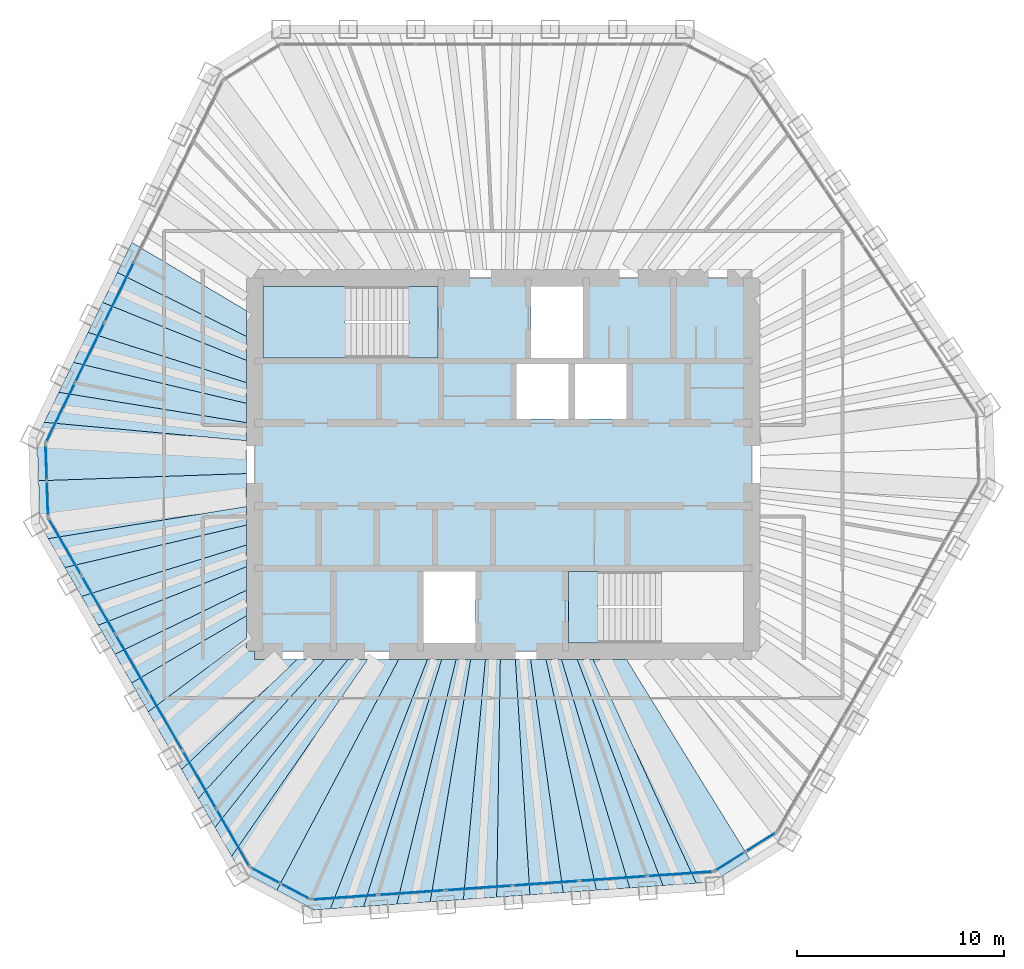
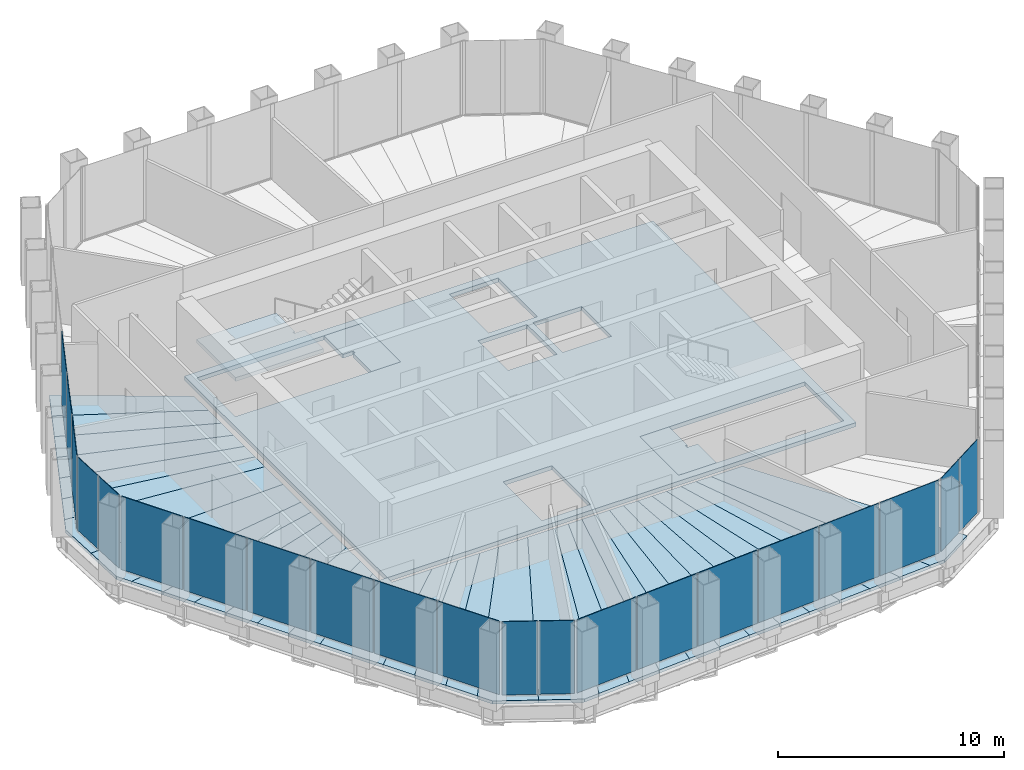
# One storey, part 9 of 14: 36 slabs, 21 plates, 8 elements without a shape of their own.
"""IFC4 building model written with IfcOpenShell, lengths in metres."""

import ifcopenshell
import ifcopenshell.guid

model = None  # the IFC model being written
_history = None  # IfcOwnerHistory: only IFC2X3 demands one
_inside = {}  # id of a spatial element -> (the spatial element, [elements in it])
_under = {}  # id of a project, library or spatial element -> (it, [spatial elements below it])
_declared = {}  # id of a project -> (the project, [libraries it declares])
_typed = {}  # id of a type object -> (the type object, [elements of that type])
_made_of = {}  # id of a material, layer set ... -> (it, [elements and type objects made of it])


def new_model(schema):
    """Start an empty IFC model of exactly this schema.

    Asked for "IFC4X3", IfcOpenShell would pick the latest addendum, in which some entities
    have other attributes; the version numbers below select the first issue.
    IFC2X3 requires an IfcOwnerHistory on every rooted entity: one is made here for all.
    """
    global model, _history
    if schema == "IFC4X3":
        model = ifcopenshell.file(schema_version=(4, 3, 0, 0))
    else:
        model = ifcopenshell.file(schema=schema)
    _inside.clear()
    _under.clear()
    _declared.clear()
    _typed.clear()
    _made_of.clear()
    _history = None
    if model.schema == "IFC2X3":
        org = make("IfcOrganization", Name="unknown")
        user = make(
            "IfcPersonAndOrganization",
            ThePerson=make("IfcPerson", FamilyName="unknown"),
            TheOrganization=org,
        )
        app = make(
            "IfcApplication",
            ApplicationDeveloper=org,
            Version="unknown",
            ApplicationFullName="unknown",
            ApplicationIdentifier="unknown",
        )
        _history = make(
            "IfcOwnerHistory",
            OwningUser=user,
            OwningApplication=app,
            ChangeAction="ADDED",
            CreationDate=0,
        )
    return model


def make(cls, **values):
    """One entity of the class cls with the attributes given. An attribute that is None is left unset."""
    return model.create_entity(
        cls, **{name: value for name, value in values.items() if value is not None}
    )


def rooted(cls, **values):
    """An entity with a GlobalId (a new one), such as an element, a storey or a relation."""
    return make(cls, GlobalId=ifcopenshell.guid.new(), OwnerHistory=_history, **values)


def si_unit(unit_type, name, prefix=None):
    """IfcSIUnit, for example si_unit("LENGTHUNIT", "METRE", prefix="MILLI")."""
    return make("IfcSIUnit", UnitType=unit_type, Prefix=prefix, Name=name)


def assignment(units):
    """IfcUnitAssignment: the units of a project."""
    return None if units is None else make("IfcUnitAssignment", Units=units)


def point(xyz):
    """IfcCartesianPoint."""
    return None if xyz is None else make("IfcCartesianPoint", Coordinates=xyz)


def direction(xyz):
    """IfcDirection."""
    return None if xyz is None else make("IfcDirection", DirectionRatios=xyz)


def frame(location, z_axis=None, x_axis=None):
    """IfcAxis2Placement3D, a coordinate frame: its origin and axes. An axis left out is left unset."""
    return make(
        "IfcAxis2Placement3D",
        Location=point(location),
        Axis=direction(z_axis),
        RefDirection=direction(x_axis),
    )


def frame_2d(location, x_axis=None):
    """IfcAxis2Placement2D, a coordinate frame in the plane: its origin and x axis."""
    return make(
        "IfcAxis2Placement2D", Location=point(location), RefDirection=direction(x_axis)
    )


def origin():
    """The frame at (0, 0, 0) with its axes left unset."""
    return frame((0.0, 0.0, 0.0))


def origin_2d():
    """The frame at (0, 0) in the plane with its x axis left unset."""
    return frame_2d((0.0, 0.0))


def place(relative_to, where):
    """IfcLocalPlacement: puts the frame where relative to a parent placement (None: the world)."""
    return make(
        "IfcLocalPlacement", PlacementRelTo=relative_to, RelativePlacement=where
    )


def context(
    kind, dimensions, precision=None, world=None, true_north=None, identifier=None
):
    """IfcGeometricRepresentationContext, for example the 3D "Model" context."""
    return make(
        "IfcGeometricRepresentationContext",
        ContextIdentifier=identifier,
        ContextType=kind,
        CoordinateSpaceDimension=dimensions,
        Precision=precision,
        WorldCoordinateSystem=world,
        TrueNorth=true_north,
    )


def subcontext(parent, identifier, kind, view, scale=None):
    """IfcGeometricRepresentationSubContext, for example "Body" below "Model"."""
    return make(
        "IfcGeometricRepresentationSubContext",
        ContextIdentifier=identifier,
        ContextType=kind,
        ParentContext=parent,
        TargetScale=scale,
        TargetView=view,
    )


def project(units=None, contexts=None):
    """IfcProject with its units and contexts."""
    return rooted(
        "IfcProject",
        Name="project",
        RepresentationContexts=contexts,
        UnitsInContext=assignment(units),
    )


def spatial(cls, under=None, at=None, **own):
    """A site, building, storey or space (cls), placed at a placement, below another one or the project."""
    s = rooted(cls, ObjectPlacement=at, **own)
    if under is not None:
        _under.setdefault(under.id(), (under, []))[1].append(s)
    return s


def polyline(points):
    """IfcPolyline through the points."""
    return make("IfcPolyline", Points=[point(p) for p in points])


def profile(cls, at=None, kind="AREA", **sizes):
    """A parametric profile (cls). Its sizes go by their IFC names, for example OverallWidth=200.0."""
    return make(cls, ProfileType=kind, Position=at, **sizes)


def rectangle(**sizes):
    """IfcRectangleProfileDef."""
    return profile("IfcRectangleProfileDef", **sizes)


def outline(outer, holes=None, kind="AREA"):
    """IfcArbitraryClosedProfileDef: a profile drawn as a closed curve; with holes, ...WithVoids."""
    if holes is None:
        return make("IfcArbitraryClosedProfileDef", ProfileType=kind, OuterCurve=outer)
    return make(
        "IfcArbitraryProfileDefWithVoids",
        ProfileType=kind,
        OuterCurve=outer,
        InnerCurves=holes,
    )


def extrude(swept, where, along, depth):
    """IfcExtrudedAreaSolid: the profile swept, set in the frame where, extruded along a direction by depth."""
    return make(
        "IfcExtrudedAreaSolid",
        SweptArea=swept,
        Position=where,
        ExtrudedDirection=direction(along),
        Depth=depth,
    )


def shape(context_of_items, identifier, shape_type, items):
    """IfcShapeRepresentation: the items that make up one representation, for example the "Body"."""
    return make(
        "IfcShapeRepresentation",
        ContextOfItems=context_of_items,
        RepresentationIdentifier=identifier,
        RepresentationType=shape_type,
        Items=items,
    )


def material(Name=None, Category=None):
    """IfcMaterial."""
    return make("IfcMaterial", Name=Name, Category=Category)


def layer(
    of_material, thickness, ventilated=None, Name=None, Category=None, Priority=None
):
    """IfcMaterialLayer: one layer of a wall or slab, of a material (None: an air gap)."""
    return make(
        "IfcMaterialLayer",
        Material=of_material,
        LayerThickness=thickness,
        IsVentilated=ventilated,
        Name=Name,
        Category=Category,
        Priority=Priority,
    )


def layer_set(layers, Name=None):
    """IfcMaterialLayerSet."""
    return make("IfcMaterialLayerSet", MaterialLayers=layers, LayerSetName=Name)


def made_of(thing, what):
    """Note that an element or type object is made of a material, layer set ...; save() writes the relation."""
    if what is not None:
        _made_of.setdefault(what.id(), (what, []))[1].append(thing)
    return thing


def type_object(cls, material=None, **own):
    """A type object (cls), such as IfcWallType, which elements share."""
    return made_of(rooted(cls, **own), material)


def element(
    cls,
    number,
    at=None,
    inside=None,
    cuts=None,
    type_object=None,
    material=None,
    context=None,
    identifier="Body",
    shape_type=None,
    held_by="IfcProductDefinitionShape",
    body=None,
    shapes=None,
    **own,
):
    """One element of the class cls, such as IfcWall. Its Tag is "e" and its number.

    at: its placement. inside: the storey or other place that contains it. cuts: it is an
    opening in that element (IfcRelVoidsElement). A single representation is given by context,
    identifier, shape_type and body (its items); several are given by shapes. held_by: the class
    of the entity that holds the representations. save() writes the other relations.
    """
    e = rooted(cls, Tag="e%d" % number, ObjectPlacement=at, **own)
    if body is not None:
        shapes = [shape(context, identifier, shape_type, body)]
    if shapes is not None:
        e.Representation = make(held_by, Representations=shapes)
    if inside is not None:
        _inside.setdefault(inside.id(), (inside, []))[1].append(e)
    if cuts is not None:
        rooted(
            "IfcRelVoidsElement", RelatingBuildingElement=cuts, RelatedOpeningElement=e
        )
    if type_object is not None:
        _typed.setdefault(type_object.id(), (type_object, []))[1].append(e)
    return made_of(e, material)


def aggregate(whole, parts):
    """IfcRelAggregates: a whole, such as a stair, and the parts it consists of."""
    return rooted("IfcRelAggregates", RelatingObject=whole, RelatedObjects=parts)


def save(model, path):
    """Write the relations noted so far, then the file.

    IfcRelAggregates (storeys below a building ...), IfcRelContainedInSpatialStructure (elements
    in a storey), IfcRelDefinesByType, IfcRelAssociatesMaterial and IfcRelDeclares: one each for
    every whole, place, type object, material and project.
    """
    for whole, parts in _under.values():
        aggregate(whole, parts)
    for where, things in _inside.values():
        rooted(
            "IfcRelContainedInSpatialStructure",
            RelatedElements=things,
            RelatingStructure=where,
        )
    for kind, things in _typed.values():
        rooted("IfcRelDefinesByType", RelatedObjects=things, RelatingType=kind)
    for what, things in _made_of.values():
        rooted("IfcRelAssociatesMaterial", RelatedObjects=things, RelatingMaterial=what)
    for by, libraries in _declared.values():
        rooted("IfcRelDeclares", RelatingContext=by, RelatedDefinitions=libraries)
    model.write(path)


model = new_model("IFC4")

# Units and contexts
model_context = context("Model", 3, precision=1e-05, world=origin(), true_north=direction((0.0, 1.0)))
body_context = subcontext(model_context, "Body", "Model", "MODEL_VIEW")
ifc_project = project(units=[si_unit("LENGTHUNIT", "METRE"), si_unit("AREAUNIT", "SQUARE_METRE"), si_unit("VOLUMEUNIT", "CUBIC_METRE"), si_unit("PLANEANGLEUNIT", "RADIAN"), si_unit("MASSUNIT", "GRAM", prefix="KILO")], contexts=[model_context])

# Site, building, storey
site_placement = place(None, origin())
site = spatial("IfcSite", under=ifc_project, at=site_placement, CompositionType="ELEMENT")
building_placement = place(site_placement, origin())
building = spatial("IfcBuilding", under=site, at=building_placement, Name="Qingtian Harvest Tower", CompositionType="ELEMENT")
storey_placement = place(building_placement, frame((0.0, 0.0, 304.0)))
storey = spatial("IfcBuildingStorey", under=building, at=storey_placement, Name="L67", CompositionType="ELEMENT", Elevation=304.0)

# Slabs
ifc_material_1 = material(Name="Concrete fc' 35 MPa", Category="concrete")
ifc_layer_1 = layer(ifc_material_1, 0.169921875)
ifc_layer_set_1 = layer_set([ifc_layer_1], Name="Composite floor slab FS17 170")
slab_type_1 = type_object("IfcSlabType", Name="Composite floor slab FS17 170", PredefinedType="FLOOR", material=ifc_layer_set_1)
slab_1_placement = place(storey_placement, frame((0.0, 0.0, -0.169921875)))
element("IfcSlab", 1, at=slab_1_placement, inside=storey, type_object=slab_type_1, Name="Floor slab L67 panel D01", PredefinedType="FLOOR", context=body_context, shape_type="SweptSolid", body=[
    extrude(outline(polyline([(-22.422607421875, -0.783203125), (-12.39990234375, -0.436767578125), (-12.39990234375, -2.028564453125), (-21.95751953125, -3.578369140625), (-22.348876953125, -2.90087890625), (-22.422607421875, -0.783203125)])), origin(), (0.0, 0.0, 1.0), 0.169921875),
])
slab_2_placement = place(storey_placement, frame((0.0, 0.0, -0.169921875)))
element("IfcSlab", 2, at=slab_2_placement, inside=storey, type_object=slab_type_1, Name="Floor slab L67 panel D02", PredefinedType="FLOOR", context=body_context, shape_type="SweptSolid", body=[
    extrude(outline(polyline([(-12.39990234375, -2.923095703125), (-21.153076171875, -4.9716796875), (-21.95751953125, -3.578369140625), (-12.39990234375, -2.028564453125), (-12.39990234375, -2.923095703125)])), origin(), (0.0, 0.0, 1.0), 0.169921875),
])
slab_3_placement = place(storey_placement, frame((0.0, 0.0, -0.169921875)))
element("IfcSlab", 3, at=slab_3_placement, inside=storey, type_object=slab_type_1, Name="Floor slab L67 panel D03", PredefinedType="FLOOR", context=body_context, shape_type="SweptSolid", body=[
    extrude(outline(polyline([(-12.39990234375, -3.888427734375), (-20.3486328125, -6.365234375), (-21.153076171875, -4.9716796875), (-12.39990234375, -2.923095703125), (-12.39990234375, -3.888427734375)])), origin(), (0.0, 0.0, 1.0), 0.169921875),
])
slab_4_placement = place(storey_placement, frame((0.0, 0.0, -0.169921875)))
element("IfcSlab", 4, at=slab_4_placement, inside=storey, type_object=slab_type_1, Name="Floor slab L67 panel D04", PredefinedType="FLOOR", context=body_context, shape_type="SweptSolid", body=[
    extrude(outline(polyline([(-12.39990234375, -4.93359375), (-19.544189453125, -7.758544921875), (-20.3486328125, -6.365234375), (-12.39990234375, -3.888427734375), (-12.39990234375, -4.93359375)])), origin(), (0.0, 0.0, 1.0), 0.169921875),
])
slab_5_placement = place(storey_placement, frame((0.0, 0.0, -0.169921875)))
element("IfcSlab", 5, at=slab_5_placement, inside=storey, type_object=slab_type_1, Name="Floor slab L67 panel D05", PredefinedType="FLOOR", context=body_context, shape_type="SweptSolid", body=[
    extrude(outline(polyline([(-12.39990234375, -6.068359375), (-18.73974609375, -9.15185546875), (-19.544189453125, -7.758544921875), (-12.39990234375, -4.93359375), (-12.39990234375, -6.068359375)])), origin(), (0.0, 0.0, 1.0), 0.169921875),
])
slab_6_placement = place(storey_placement, frame((0.0, 0.0, -0.169921875)))
element("IfcSlab", 6, at=slab_6_placement, inside=storey, type_object=slab_type_1, Name="Floor slab L67 panel D06", PredefinedType="FLOOR", context=body_context, shape_type="SweptSolid", body=[
    extrude(outline(polyline([(-12.39990234375, -7.304931640625), (-17.93505859375, -10.54541015625), (-18.73974609375, -9.15185546875), (-12.39990234375, -6.068359375), (-12.39990234375, -7.304931640625)])), origin(), (0.0, 0.0, 1.0), 0.169921875),
])
slab_7_placement = place(storey_placement, frame((0.0, 0.0, -0.169921875)))
element("IfcSlab", 7, at=slab_7_placement, inside=storey, type_object=slab_type_1, Name="Floor slab L67 panel D07", PredefinedType="FLOOR", context=body_context, shape_type="SweptSolid", body=[
    extrude(outline(polyline([(-12.39990234375, -8.400390625), (-17.134033203125, -11.932861328125), (-17.93505859375, -10.54541015625), (-12.39990234375, -7.304931640625), (-12.39990234375, -8.400390625)])), origin(), (0.0, 0.0, 1.0), 0.169921875),
])
slab_8_placement = place(storey_placement, frame((0.0, 0.0, -0.169921875)))
element("IfcSlab", 8, at=slab_8_placement, inside=storey, type_object=slab_type_1, Name="Floor slab L67 panel D09", PredefinedType="FLOOR", context=body_context, shape_type="SweptSolid", body=[
    extrude(outline(polyline([(-15.522216796875, -14.724609375), (-17.134033203125, -11.932861328125), (-12.39990234375, -8.400390625), (-12.39990234375, -9.0), (-12.0, -9.0), (-12.0, -9.39990234375), (-9.943115234375, -9.39990234375), (-15.522216796875, -14.724609375)])), origin(), (0.0, 0.0, 1.0), 0.169921875),
])
slab_9_placement = place(storey_placement, frame((0.0, 0.0, -0.169921875)))
element("IfcSlab", 9, at=slab_9_placement, inside=storey, type_object=slab_type_1, Name="Floor slab L67 panel D10", PredefinedType="FLOOR", context=body_context, shape_type="SweptSolid", body=[
    extrude(outline(polyline([(-8.609130859375, -9.39990234375), (-14.7177734375, -16.1181640625), (-15.522216796875, -14.724609375), (-9.943115234375, -9.39990234375), (-8.609130859375, -9.39990234375)])), origin(), (0.0, 0.0, 1.0), 0.169921875),
])
slab_10_placement = place(storey_placement, frame((0.0, 0.0, -0.169921875)))
element("IfcSlab", 10, at=slab_10_placement, inside=storey, type_object=slab_type_1, Name="Floor slab L67 panel D11", PredefinedType="FLOOR", context=body_context, shape_type="SweptSolid", body=[
    extrude(outline(polyline([(-7.488525390625, -9.39990234375), (-13.9130859375, -17.51171875), (-14.7177734375, -16.1181640625), (-8.609130859375, -9.39990234375), (-7.488525390625, -9.39990234375)])), origin(), (0.0, 0.0, 1.0), 0.169921875),
])
slab_11_placement = place(storey_placement, frame((0.0, 0.0, -0.169921875)))
element("IfcSlab", 11, at=slab_11_placement, inside=storey, type_object=slab_type_1, Name="Floor slab L67 panel D12", PredefinedType="FLOOR", context=body_context, shape_type="SweptSolid", body=[
    extrude(outline(polyline([(-6.533935546875, -9.39990234375), (-13.108642578125, -18.905029296875), (-13.9130859375, -17.51171875), (-7.488525390625, -9.39990234375), (-6.533935546875, -9.39990234375)])), origin(), (0.0, 0.0, 1.0), 0.169921875),
])
slab_12_placement = place(storey_placement, frame((0.0, 0.0, -0.169921875)))
element("IfcSlab", 12, at=slab_12_placement, inside=storey, type_object=slab_type_1, Name="Floor slab L67 panel D13", PredefinedType="FLOOR", context=body_context, shape_type="SweptSolid", body=[
    extrude(outline(polyline([(-6.533935546875, -9.39990234375), (-5.04638671875, -9.39990234375), (-10.921142578125, -20.537841796875), (-12.717529296875, -19.582763671875), (-13.108642578125, -18.905029296875), (-6.533935546875, -9.39990234375)])), origin(), (0.0, 0.0, 1.0), 0.169921875),
])
slab_13_placement = place(storey_placement, frame((0.0, 0.0, -0.169921875)))
element("IfcSlab", 13, at=slab_13_placement, inside=storey, type_object=slab_type_1, Name="Floor slab L67 panel D14", PredefinedType="FLOOR", context=body_context, shape_type="SweptSolid", body=[
    extrude(outline(polyline([(-5.04638671875, -9.39990234375), (-3.656982421875, -9.39990234375), (-8.343017578125, -21.439208984375), (-9.123291015625, -21.49365234375), (-10.921142578125, -20.537841796875), (-5.04638671875, -9.39990234375)])), origin(), (0.0, 0.0, 1.0), 0.169921875),
])
slab_14_placement = place(storey_placement, frame((0.0, 0.0, -0.169921875)))
element("IfcSlab", 14, at=slab_14_placement, inside=storey, type_object=slab_type_1, Name="Floor slab L67 panel D15", PredefinedType="FLOOR", context=body_context, shape_type="SweptSolid", body=[
    extrude(outline(polyline([(-2.968994140625, -9.39990234375), (-6.738037109375, -21.326904296875), (-8.343017578125, -21.439208984375), (-3.656982421875, -9.39990234375), (-2.968994140625, -9.39990234375)])), origin(), (0.0, 0.0, 1.0), 0.169921875),
])
slab_15_placement = place(storey_placement, frame((0.0, 0.0, -0.169921875)))
element("IfcSlab", 15, at=slab_15_placement, inside=storey, type_object=slab_type_1, Name="Floor slab L67 panel D16", PredefinedType="FLOOR", context=body_context, shape_type="SweptSolid", body=[
    extrude(outline(polyline([(-2.2734375, -9.39990234375), (-5.133056640625, -21.21484375), (-6.738037109375, -21.326904296875), (-2.968994140625, -9.39990234375), (-2.2734375, -9.39990234375)])), origin(), (0.0, 0.0, 1.0), 0.169921875),
])
slab_16_placement = place(storey_placement, frame((0.0, 0.0, -0.169921875)))
element("IfcSlab", 16, at=slab_16_placement, inside=storey, type_object=slab_type_1, Name="Floor slab L67 panel D17", PredefinedType="FLOOR", context=body_context, shape_type="SweptSolid", body=[
    extrude(outline(polyline([(-1.570556640625, -9.39990234375), (-3.528076171875, -21.1025390625), (-5.133056640625, -21.21484375), (-2.2734375, -9.39990234375), (-1.570556640625, -9.39990234375)])), origin(), (0.0, 0.0, 1.0), 0.169921875),
])
slab_17_placement = place(storey_placement, frame((0.0, 0.0, -0.169921875)))
element("IfcSlab", 17, at=slab_17_placement, inside=storey, type_object=slab_type_1, Name="Floor slab L67 panel D18", PredefinedType="FLOOR", context=body_context, shape_type="SweptSolid", body=[
    extrude(outline(polyline([(-0.860107421875, -9.39990234375), (-1.9228515625, -20.990234375), (-3.528076171875, -21.1025390625), (-1.570556640625, -9.39990234375), (-0.860107421875, -9.39990234375)])), origin(), (0.0, 0.0, 1.0), 0.169921875),
])
slab_18_placement = place(storey_placement, frame((0.0, 0.0, -0.169921875)))
element("IfcSlab", 18, at=slab_18_placement, inside=storey, type_object=slab_type_1, Name="Floor slab L67 panel D19", PredefinedType="FLOOR", context=body_context, shape_type="SweptSolid", body=[
    extrude(outline(polyline([(-0.14208984375, -9.39990234375), (-0.31787109375, -20.8779296875), (-1.9228515625, -20.990234375), (-0.860107421875, -9.39990234375), (-0.14208984375, -9.39990234375)])), origin(), (0.0, 0.0, 1.0), 0.169921875),
])
slab_19_placement = place(storey_placement, frame((0.0, 0.0, -0.169921875)))
element("IfcSlab", 19, at=slab_19_placement, inside=storey, type_object=slab_type_1, Name="Floor slab L67 panel D20", PredefinedType="FLOOR", context=body_context, shape_type="SweptSolid", body=[
    extrude(outline(polyline([(0.58349609375, -9.39990234375), (1.287109375, -20.765869140625), (-0.31787109375, -20.8779296875), (-0.14208984375, -9.39990234375), (0.58349609375, -9.39990234375)])), origin(), (0.0, 0.0, 1.0), 0.169921875),
])
slab_20_placement = place(storey_placement, frame((0.0, 0.0, -0.169921875)))
element("IfcSlab", 20, at=slab_20_placement, inside=storey, type_object=slab_type_1, Name="Floor slab L67 panel D21", PredefinedType="FLOOR", context=body_context, shape_type="SweptSolid", body=[
    extrude(outline(polyline([(1.3173828125, -9.39990234375), (2.89208984375, -20.653564453125), (1.287109375, -20.765869140625), (0.58349609375, -9.39990234375), (1.3173828125, -9.39990234375)])), origin(), (0.0, 0.0, 1.0), 0.169921875),
])
slab_21_placement = place(storey_placement, frame((0.0, 0.0, -0.169921875)))
element("IfcSlab", 21, at=slab_21_placement, inside=storey, type_object=slab_type_1, Name="Floor slab L67 panel D22", PredefinedType="FLOOR", context=body_context, shape_type="SweptSolid", body=[
    extrude(outline(polyline([(2.058837890625, -9.39990234375), (4.4970703125, -20.541259765625), (2.89208984375, -20.653564453125), (1.3173828125, -9.39990234375), (2.058837890625, -9.39990234375)])), origin(), (0.0, 0.0, 1.0), 0.169921875),
])
slab_22_placement = place(storey_placement, frame((0.0, 0.0, -0.169921875)))
element("IfcSlab", 22, at=slab_22_placement, inside=storey, type_object=slab_type_1, Name="Floor slab L67 panel D23", PredefinedType="FLOOR", context=body_context, shape_type="SweptSolid", body=[
    extrude(outline(polyline([(2.808837890625, -9.39990234375), (6.10205078125, -20.42919921875), (4.4970703125, -20.541259765625), (2.058837890625, -9.39990234375), (2.808837890625, -9.39990234375)])), origin(), (0.0, 0.0, 1.0), 0.169921875),
])
slab_23_placement = place(storey_placement, frame((0.0, 0.0, -0.169921875)))
element("IfcSlab", 23, at=slab_23_placement, inside=storey, type_object=slab_type_1, Name="Floor slab L67 panel D24", PredefinedType="FLOOR", context=body_context, shape_type="SweptSolid", body=[
    extrude(outline(polyline([(3.56689453125, -9.39990234375), (7.70703125, -20.31689453125), (6.10205078125, -20.42919921875), (2.808837890625, -9.39990234375), (3.56689453125, -9.39990234375)])), origin(), (0.0, 0.0, 1.0), 0.169921875),
])
slab_24_placement = place(storey_placement, frame((0.0, 0.0, -0.169921875)))
element("IfcSlab", 24, at=slab_24_placement, inside=storey, type_object=slab_type_1, Name="Floor slab L67 panel D25", PredefinedType="FLOOR", context=body_context, shape_type="SweptSolid", body=[
    extrude(outline(polyline([(4.33349609375, -9.39990234375), (9.312255859375, -20.20458984375), (7.70703125, -20.31689453125), (3.56689453125, -9.39990234375), (4.33349609375, -9.39990234375)])), origin(), (0.0, 0.0, 1.0), 0.169921875),
])
slab_25_placement = place(storey_placement, frame((0.0, 0.0, -0.169921875)))
element("IfcSlab", 25, at=slab_25_placement, inside=storey, type_object=slab_type_1, Name="Floor slab L67 panel D26", PredefinedType="FLOOR", context=body_context, shape_type="SweptSolid", body=[
    extrude(outline(polyline([(4.33349609375, -9.39990234375), (5.945556640625, -9.39990234375), (11.890380859375, -19.026611328125), (10.09228515625, -20.150146484375), (9.312255859375, -20.20458984375), (4.33349609375, -9.39990234375)])), origin(), (0.0, 0.0, 1.0), 0.169921875),
])
slab_26_placement = place(storey_placement, frame((0.0, 0.0, -0.169921875)))
element("IfcSlab", 26, at=slab_26_placement, inside=storey, type_object=slab_type_1, Name="Floor slab L67 panel D72", PredefinedType="FLOOR", context=body_context, shape_type="SweptSolid", body=[
    extrude(outline(polyline([(-12.39990234375, 6.18115234375), (-18.627197265625, 9.2685546875), (-17.921875, 10.714599609375), (-12.39990234375, 7.42578125), (-12.39990234375, 6.18115234375)])), origin(), (0.0, 0.0, 1.0), 0.169921875),
])
slab_27_placement = place(storey_placement, frame((0.0, 0.0, -0.169921875)))
element("IfcSlab", 27, at=slab_27_placement, inside=storey, type_object=slab_type_1, Name="Floor slab L67 panel D73", PredefinedType="FLOOR", context=body_context, shape_type="SweptSolid", body=[
    extrude(outline(polyline([(-12.39990234375, 5.02734375), (-19.33251953125, 7.822509765625), (-18.627197265625, 9.2685546875), (-12.39990234375, 6.18115234375), (-12.39990234375, 5.02734375)])), origin(), (0.0, 0.0, 1.0), 0.169921875),
])
slab_28_placement = place(storey_placement, frame((0.0, 0.0, -0.169921875)))
element("IfcSlab", 28, at=slab_28_placement, inside=storey, type_object=slab_type_1, Name="Floor slab L67 panel D74", PredefinedType="FLOOR", context=body_context, shape_type="SweptSolid", body=[
    extrude(outline(polyline([(-12.39990234375, 3.954833984375), (-20.037841796875, 6.376220703125), (-19.33251953125, 7.822509765625), (-12.39990234375, 5.02734375), (-12.39990234375, 3.954833984375)])), origin(), (0.0, 0.0, 1.0), 0.169921875),
])
slab_29_placement = place(storey_placement, frame((0.0, 0.0, -0.169921875)))
element("IfcSlab", 29, at=slab_29_placement, inside=storey, type_object=slab_type_1, Name="Floor slab L67 panel D75", PredefinedType="FLOOR", context=body_context, shape_type="SweptSolid", body=[
    extrude(outline(polyline([(-12.39990234375, 2.955322265625), (-20.7431640625, 4.93017578125), (-20.037841796875, 6.376220703125), (-12.39990234375, 3.954833984375), (-12.39990234375, 2.955322265625)])), origin(), (0.0, 0.0, 1.0), 0.169921875),
])
slab_30_placement = place(storey_placement, frame((0.0, 0.0, -0.169921875)))
element("IfcSlab", 30, at=slab_30_placement, inside=storey, type_object=slab_type_1, Name="Floor slab L67 panel D76", PredefinedType="FLOOR", context=body_context, shape_type="SweptSolid", body=[
    extrude(outline(polyline([(-12.39990234375, 2.021484375), (-21.448486328125, 3.484130859375), (-20.7431640625, 4.93017578125), (-12.39990234375, 2.955322265625), (-12.39990234375, 2.021484375)])), origin(), (0.0, 0.0, 1.0), 0.169921875),
])
slab_31_placement = place(storey_placement, frame((0.0, 0.0, -0.169921875)))
element("IfcSlab", 31, at=slab_31_placement, inside=storey, type_object=slab_type_1, Name="Floor slab L67 panel D77", PredefinedType="FLOOR", context=body_context, shape_type="SweptSolid", body=[
    extrude(outline(polyline([(-12.39990234375, 1.147216796875), (-22.15380859375, 2.037841796875), (-21.448486328125, 3.484130859375), (-12.39990234375, 2.021484375), (-12.39990234375, 1.147216796875)])), origin(), (0.0, 0.0, 1.0), 0.169921875),
])
slab_32_placement = place(storey_placement, frame((0.0, 0.0, -0.169921875)))
element("IfcSlab", 32, at=slab_32_placement, inside=storey, type_object=slab_type_1, Name="Floor slab L67 panel D78", PredefinedType="FLOOR", context=body_context, shape_type="SweptSolid", body=[
    extrude(outline(polyline([(-12.39990234375, 1.147216796875), (-12.39990234375, -0.436767578125), (-22.422607421875, -0.783203125), (-22.49658203125, 1.334716796875), (-22.15380859375, 2.037841796875), (-12.39990234375, 1.147216796875)])), origin(), (0.0, 0.0, 1.0), 0.169921875),
])
ifc_material_2 = material(Name="Concrete fc' 35 MPa", Category="concrete")
ifc_layer_2 = layer(ifc_material_2, 0.219970703125)
ifc_layer_set_2 = layer_set([ifc_layer_2], Name="Core floor slab CS22 220")
slab_type_2 = type_object("IfcSlabType", Name="Core floor slab CS22 220", PredefinedType="FLOOR", material=ifc_layer_set_2)
slab_33_placement = place(storey_placement, frame((0.0, 0.0, -0.219970703125)))
element("IfcSlab", 33, at=slab_33_placement, inside=storey, type_object=slab_type_2, Name="Core floor slab L67", PredefinedType="FLOOR", context=body_context, shape_type="SweptSolid", body=[
    extrude(outline(polyline([(-12.0, -9.0), (12.0, -9.0), (12.0, 9.0), (-12.0, 9.0), (-12.0, -9.0)]), holes=[polyline([(-11.60009765625, 5.14990234375), (-3.14990234375, 5.14990234375), (-3.14990234375, 8.60009765625), (-11.60009765625, 8.60009765625), (-11.60009765625, 5.14990234375)]), polyline([(3.14990234375, -8.60009765625), (11.60009765625, -8.60009765625), (11.60009765625, -5.14990234375), (3.14990234375, -5.14990234375), (3.14990234375, -8.60009765625)]), polyline([(1.35009765625, 5.14990234375), (3.85009765625, 5.14990234375), (3.85009765625, 8.60009765625), (1.35009765625, 8.60009765625), (1.35009765625, 5.14990234375)]), polyline([(-3.85009765625, -8.60009765625), (-1.35009765625, -8.60009765625), (-1.35009765625, -5.14990234375), (-3.85009765625, -5.14990234375), (-3.85009765625, -8.60009765625)]), polyline([(0.64990234375, 2.199951171875), (3.14990234375, 2.199951171875), (3.14990234375, 4.85009765625), (0.64990234375, 4.85009765625), (0.64990234375, 2.199951171875)]), polyline([(3.449951171875, 2.199951171875), (5.949951171875, 2.199951171875), (5.949951171875, 4.85009765625), (3.449951171875, 4.85009765625), (3.449951171875, 2.199951171875)])]), origin(), (0.0, 0.0, 1.0), 0.219970703125),
])

# Curtain wall, plates
ifc_material_3 = material(Name="Bronze-anodised aluminium curtain wall", Category="aluminium")
curtain_wall_type = type_object("IfcCurtainWallType", Name="Curtain wall CW5 upper office", PredefinedType="USERDEFINED", material=ifc_material_3)
curtain_wall_1_placement = place(storey_placement, origin())
curtain_wall_1 = element("IfcCurtainWall", 34, at=curtain_wall_1_placement, inside=storey, type_object=curtain_wall_type, Name="Curtain wall CW5 L67 SEC", ObjectType="RECESSED CURTAIN WALL", PredefinedType="USERDEFINED")
ifc_material_4 = material(Name="Bronze-tinted laminated insulating glass", Category="glass")
ifc_layer_3 = layer(ifc_material_4, 0.030029296875)
ifc_layer_set_3 = layer_set([ifc_layer_3], Name="Glazed panel CWP tinted IGU")
plate_type = type_object("IfcPlateType", Name="Glazed panel CWP tinted IGU", PredefinedType="CURTAIN_PANEL", material=ifc_layer_set_3)
plate_1_placement = place(storey_placement, frame((12.42431640625, -18.224609375, 0.06494140625), z_axis=(0.0, 0.0, 1.0), x_axis=(-0.848048096156, -0.529919264233, 0.0)))
plate_1 = element("IfcPlate", 35, at=plate_1_placement, type_object=plate_type, Name="CW5 panel 1.1", PredefinedType="CURTAIN_PANEL", context=body_context, shape_type="SweptSolid", body=[
    extrude(rectangle(XDim=1.69287109375, YDim=0.030029296875, at=origin_2d()), origin(), (0.0, 0.0, 1.0), 3.965087890625),
])
plate_2_placement = place(storey_placement, frame((10.93359375, -19.156005859375, 0.06494140625), z_axis=(0.0, 0.0, 1.0), x_axis=(-0.848048096156, -0.529919264233, 0.0)))
plate_2 = element("IfcPlate", 36, at=plate_2_placement, type_object=plate_type, Name="CW5 panel 2.1", PredefinedType="CURTAIN_PANEL", context=body_context, shape_type="SweptSolid", body=[
    extrude(rectangle(XDim=1.69287109375, YDim=0.030029296875, at=origin_2d()), origin(), (0.0, 0.0, 1.0), 3.965087890625),
])
aggregate(curtain_wall_1, [plate_1, plate_2])

curtain_wall_2_placement = place(storey_placement, origin())
curtain_wall_2 = element("IfcCurtainWall", 37, at=curtain_wall_2_placement, inside=storey, type_object=curtain_wall_type, Name="Curtain wall CW5 L67 S0-5", ObjectType="RECESSED CURTAIN WALL", PredefinedType="USERDEFINED")
plate_3_placement = place(storey_placement, frame((8.5244140625, -19.75341796875, 0.06494140625), z_axis=(0.0, 0.0, 1.0), x_axis=(-0.99756405026, -0.069756473744, 0.0)))
plate_3 = element("IfcPlate", 38, at=plate_3_placement, type_object=plate_type, Name="CW5 panel 1.1", PredefinedType="CURTAIN_PANEL", context=body_context, shape_type="SweptSolid", body=[
    extrude(rectangle(XDim=3.150634765625, YDim=0.030029296875, at=origin_2d()), origin(), (0.0, 0.0, 1.0), 3.965087890625),
])
plate_4_placement = place(storey_placement, frame((5.300537109375, -19.97900390625, 0.06494140625), z_axis=(0.0, 0.0, 1.0), x_axis=(-0.99756405026, -0.069756473744, 0.0)))
plate_4 = element("IfcPlate", 39, at=plate_4_placement, type_object=plate_type, Name="CW5 panel 2.1", PredefinedType="CURTAIN_PANEL", context=body_context, shape_type="SweptSolid", body=[
    extrude(rectangle(XDim=3.18310546875, YDim=0.030029296875, at=origin_2d()), origin(), (0.0, 0.0, 1.0), 3.965087890625),
])
plate_5_placement = place(storey_placement, frame((2.060302734375, -20.20556640625, 0.06494140625), z_axis=(0.0, 0.0, 1.0), x_axis=(-0.99756405026, -0.069756473744, 0.0)))
plate_5 = element("IfcPlate", 40, at=plate_5_placement, type_object=plate_type, Name="CW5 panel 3.1", PredefinedType="CURTAIN_PANEL", context=body_context, shape_type="SweptSolid", body=[
    extrude(rectangle(XDim=3.18310546875, YDim=0.030029296875, at=origin_2d()), origin(), (0.0, 0.0, 1.0), 3.965087890625),
])
plate_6_placement = place(storey_placement, frame((-1.1796875, -20.43212890625, 0.06494140625), z_axis=(0.0, 0.0, 1.0), x_axis=(-0.99756405026, -0.069756473744, 0.0)))
plate_6 = element("IfcPlate", 41, at=plate_6_placement, type_object=plate_type, Name="CW5 panel 4.1", PredefinedType="CURTAIN_PANEL", context=body_context, shape_type="SweptSolid", body=[
    extrude(rectangle(XDim=3.18310546875, YDim=0.030029296875, at=origin_2d()), origin(), (0.0, 0.0, 1.0), 3.965087890625),
])
plate_7_placement = place(storey_placement, frame((-4.419921875, -20.65869140625, 0.06494140625), z_axis=(0.0, 0.0, 1.0), x_axis=(-0.99756405026, -0.069756473744, 0.0)))
plate_7 = element("IfcPlate", 42, at=plate_7_placement, type_object=plate_type, Name="CW5 panel 5.1", PredefinedType="CURTAIN_PANEL", context=body_context, shape_type="SweptSolid", body=[
    extrude(rectangle(XDim=3.18310546875, YDim=0.030029296875, at=origin_2d()), origin(), (0.0, 0.0, 1.0), 3.965087890625),
])
plate_8_placement = place(storey_placement, frame((-7.643798828125, -20.884033203125, 0.06494140625), z_axis=(0.0, 0.0, 1.0), x_axis=(-0.99756405026, -0.069756473744, 0.0)))
plate_8 = element("IfcPlate", 43, at=plate_8_placement, type_object=plate_type, Name="CW5 panel 6.1", PredefinedType="CURTAIN_PANEL", context=body_context, shape_type="SweptSolid", body=[
    extrude(rectangle(XDim=3.150634765625, YDim=0.030029296875, at=origin_2d()), origin(), (0.0, 0.0, 1.0), 3.965087890625),
])
aggregate(curtain_wall_2, [plate_3, plate_4, plate_5, plate_6, plate_7, plate_8])

curtain_wall_3_placement = place(storey_placement, origin())
curtain_wall_3 = element("IfcCurtainWall", 44, at=curtain_wall_3_placement, inside=storey, type_object=curtain_wall_type, Name="Curtain wall CW5 L67 SC", ObjectType="RECESSED CURTAIN WALL", PredefinedType="USERDEFINED")
plate_9_placement = place(storey_placement, frame((-10.029296875, -20.60009765625, 0.06494140625), z_axis=(0.0, 0.0, 1.0), x_axis=(-0.882947592859, 0.469471562786, 0.0)))
plate_9 = element("IfcPlate", 45, at=plate_9_placement, type_object=plate_type, Name="CW5 panel 1.1", PredefinedType="CURTAIN_PANEL", context=body_context, shape_type="SweptSolid", body=[
    extrude(rectangle(XDim=1.56689453125, YDim=0.030029296875, at=origin_2d()), origin(), (0.0, 0.0, 1.0), 3.965087890625),
])
plate_10_placement = place(storey_placement, frame((-11.469970703125, -19.833984375, 0.06494140625), z_axis=(0.0, 0.0, 1.0), x_axis=(-0.882947592859, 0.469471562786, 0.0)))
plate_10 = element("IfcPlate", 46, at=plate_10_placement, type_object=plate_type, Name="CW5 panel 2.1", PredefinedType="CURTAIN_PANEL", context=body_context, shape_type="SweptSolid", body=[
    extrude(rectangle(XDim=1.56689453125, YDim=0.030029296875, at=origin_2d()), origin(), (0.0, 0.0, 1.0), 3.965087890625),
])
aggregate(curtain_wall_3, [plate_9, plate_10])

curtain_wall_4_placement = place(storey_placement, origin())
curtain_wall_4 = element("IfcCurtainWall", 47, at=curtain_wall_4_placement, inside=storey, type_object=curtain_wall_type, Name="Curtain wall CW5 L67 SW0-5", ObjectType="RECESSED CURTAIN WALL", PredefinedType="USERDEFINED")
plate_11_placement = place(storey_placement, frame((-13.039306640625, -18.01513671875, 0.06494140625), z_axis=(0.0, 0.0, 1.0), x_axis=(-0.5, 0.866025403784, 0.0)))
plate_11 = element("IfcPlate", 48, at=plate_11_placement, type_object=plate_type, Name="CW5 panel 1.1", PredefinedType="CURTAIN_PANEL", context=body_context, shape_type="SweptSolid", body=[
    extrude(rectangle(XDim=3.150634765625, YDim=0.030029296875, at=origin_2d()), origin(), (0.0, 0.0, 1.0), 3.965087890625),
])
plate_12_placement = place(storey_placement, frame((-14.6552734375, -15.216552734375, 0.06494140625), z_axis=(0.0, 0.0, 1.0), x_axis=(-0.5, 0.866025403784, 0.0)))
plate_12 = element("IfcPlate", 49, at=plate_12_placement, type_object=plate_type, Name="CW5 panel 2.1", PredefinedType="CURTAIN_PANEL", context=body_context, shape_type="SweptSolid", body=[
    extrude(rectangle(XDim=3.18310546875, YDim=0.030029296875, at=origin_2d()), origin(), (0.0, 0.0, 1.0), 3.965087890625),
])
plate_13_placement = place(storey_placement, frame((-16.279296875, -12.403564453125, 0.06494140625), z_axis=(0.0, 0.0, 1.0), x_axis=(-0.5, 0.866025403784, 0.0)))
plate_13 = element("IfcPlate", 50, at=plate_13_placement, type_object=plate_type, Name="CW5 panel 3.1", PredefinedType="CURTAIN_PANEL", context=body_context, shape_type="SweptSolid", body=[
    extrude(rectangle(XDim=3.18310546875, YDim=0.030029296875, at=origin_2d()), origin(), (0.0, 0.0, 1.0), 3.965087890625),
])
plate_14_placement = place(storey_placement, frame((-17.9033203125, -9.590576171875, 0.06494140625), z_axis=(0.0, 0.0, 1.0), x_axis=(-0.5, 0.866025403784, 0.0)))
plate_14 = element("IfcPlate", 51, at=plate_14_placement, type_object=plate_type, Name="CW5 panel 4.1", PredefinedType="CURTAIN_PANEL", context=body_context, shape_type="SweptSolid", body=[
    extrude(rectangle(XDim=3.18310546875, YDim=0.030029296875, at=origin_2d()), origin(), (0.0, 0.0, 1.0), 3.965087890625),
])
plate_15_placement = place(storey_placement, frame((-19.52734375, -6.77783203125, 0.06494140625), z_axis=(0.0, 0.0, 1.0), x_axis=(-0.5, 0.866025403784, 0.0)))
plate_15 = element("IfcPlate", 52, at=plate_15_placement, type_object=plate_type, Name="CW5 panel 5.1", PredefinedType="CURTAIN_PANEL", context=body_context, shape_type="SweptSolid", body=[
    extrude(rectangle(XDim=3.18310546875, YDim=0.030029296875, at=origin_2d()), origin(), (0.0, 0.0, 1.0), 3.965087890625),
])
plate_16_placement = place(storey_placement, frame((-21.14306640625, -3.97900390625, 0.06494140625), z_axis=(0.0, 0.0, 1.0), x_axis=(-0.5, 0.866025403784, 0.0)))
plate_16 = element("IfcPlate", 53, at=plate_16_placement, type_object=plate_type, Name="CW5 panel 6.1", PredefinedType="CURTAIN_PANEL", context=body_context, shape_type="SweptSolid", body=[
    extrude(rectangle(XDim=3.150634765625, YDim=0.030029296875, at=origin_2d()), origin(), (0.0, 0.0, 1.0), 3.965087890625),
])
aggregate(curtain_wall_4, [plate_11, plate_12, plate_13, plate_14, plate_15, plate_16])

curtain_wall_5_placement = place(storey_placement, origin())
curtain_wall_5 = element("IfcCurtainWall", 54, at=curtain_wall_5_placement, inside=storey, type_object=curtain_wall_type, Name="Curtain wall CW5 L67 SWC", ObjectType="RECESSED CURTAIN WALL", PredefinedType="USERDEFINED")
plate_17_placement = place(storey_placement, frame((-21.9951171875, -1.647705078125, 0.06494140625), z_axis=(0.0, 0.0, 1.0), x_axis=(-0.034899496703, 0.999390827019, 0.0)))
plate_17 = element("IfcPlate", 55, at=plate_17_placement, type_object=plate_type, Name="CW5 panel 1.1", PredefinedType="CURTAIN_PANEL", context=body_context, shape_type="SweptSolid", body=[
    extrude(rectangle(XDim=1.69287109375, YDim=0.030029296875, at=origin_2d()), origin(), (0.0, 0.0, 1.0), 3.965087890625),
])
plate_18_placement = place(storey_placement, frame((-22.056396484375, 0.109375, 0.06494140625), z_axis=(0.0, 0.0, 1.0), x_axis=(-0.034899496703, 0.999390827019, 0.0)))
plate_18 = element("IfcPlate", 56, at=plate_18_placement, type_object=plate_type, Name="CW5 panel 2.1", PredefinedType="CURTAIN_PANEL", context=body_context, shape_type="SweptSolid", body=[
    extrude(rectangle(XDim=1.69287109375, YDim=0.030029296875, at=origin_2d()), origin(), (0.0, 0.0, 1.0), 3.965087890625),
])
aggregate(curtain_wall_5, [plate_17, plate_18])

curtain_wall_6_placement = place(storey_placement, origin())
curtain_wall_6 = element("IfcCurtainWall", 57, at=curtain_wall_6_placement, inside=storey, type_object=curtain_wall_type, Name="Curtain wall CW5 L67 NW0-5", ObjectType="RECESSED CURTAIN WALL", PredefinedType="USERDEFINED")
plate_19_placement = place(storey_placement, frame((-21.369140625, 2.494384765625, 0.06494140625), z_axis=(0.0, 0.0, 1.0), x_axis=(0.438371146789, 0.898794046299, 0.0)))
plate_19 = element("IfcPlate", 58, at=plate_19_placement, type_object=plate_type, Name="CW5 panel 1.1", PredefinedType="CURTAIN_PANEL", context=body_context, shape_type="SweptSolid", body=[
    extrude(rectangle(XDim=3.150634765625, YDim=0.030029296875, at=origin_2d()), origin(), (0.0, 0.0, 1.0), 3.965087890625),
])
plate_20_placement = place(storey_placement, frame((-19.952392578125, 5.399169921875, 0.06494140625), z_axis=(0.0, 0.0, 1.0), x_axis=(0.438371146789, 0.898794046299, 0.0)))
plate_20 = element("IfcPlate", 59, at=plate_20_placement, type_object=plate_type, Name="CW5 panel 2.1", PredefinedType="CURTAIN_PANEL", context=body_context, shape_type="SweptSolid", body=[
    extrude(rectangle(XDim=3.18310546875, YDim=0.030029296875, at=origin_2d()), origin(), (0.0, 0.0, 1.0), 3.965087890625),
])
plate_21_placement = place(storey_placement, frame((-18.528564453125, 8.318359375, 0.06494140625), z_axis=(0.0, 0.0, 1.0), x_axis=(0.438371146789, 0.898794046299, 0.0)))
plate_21 = element("IfcPlate", 60, at=plate_21_placement, type_object=plate_type, Name="CW5 panel 3.1", PredefinedType="CURTAIN_PANEL", context=body_context, shape_type="SweptSolid", body=[
    extrude(rectangle(XDim=3.18310546875, YDim=0.030029296875, at=origin_2d()), origin(), (0.0, 0.0, 1.0), 3.965087890625),
])
aggregate(curtain_wall_6, [plate_19, plate_20, plate_21])

# Stair, slabs
ifc_material_5 = material(Name="Concrete fc' 35 MPa", Category="concrete")
stair_type = type_object("IfcStairType", Name="Special stair ST7 4200", PredefinedType="HALF_TURN_STAIR", material=ifc_material_5)
stair_1_placement = place(storey_placement, origin())
stair_1 = element("IfcStair", 61, at=stair_1_placement, inside=storey, type_object=stair_type, Name="Special stair S1 L67", PredefinedType="HALF_TURN_STAIR")
ifc_material_6 = material(Name="Concrete fc' 35 MPa", Category="concrete")
ifc_layer_4 = layer(ifc_material_6, 0.199951171875)
ifc_layer_set_4 = layer_set([ifc_layer_4], Name="Stair landing SL2 200")
slab_type_3 = type_object("IfcSlabType", Name="Stair landing SL2 200", PredefinedType="LANDING", material=ifc_layer_set_4)
slab_34_placement = place(storey_placement, frame((0.0, 0.0, -0.199951171875)))
slab_34 = element("IfcSlab", 62, at=slab_34_placement, type_object=slab_type_3, Name="S1 landing 1", PredefinedType="LANDING", context=body_context, shape_type="SweptSolid", body=[
    extrude(outline(polyline([(-4.64990234375, 5.14990234375), (-4.64990234375, 6.77490234375), (-4.550048828125, 6.77490234375), (-4.550048828125, 6.925048828125), (-5.0849609375, 6.925048828125), (-5.0849609375, 8.60009765625), (-3.14990234375, 8.60009765625), (-3.14990234375, 5.14990234375), (-4.64990234375, 5.14990234375)])), origin(), (0.0, 0.0, 1.0), 0.199951171875),
])
slab_35_placement = place(storey_placement, frame((0.0, 0.0, 1.89990234375)))
slab_35 = element("IfcSlab", 63, at=slab_35_placement, type_object=slab_type_3, Name="S1 landing 2", PredefinedType="LANDING", context=body_context, shape_type="SweptSolid", body=[
    extrude(outline(polyline([(-7.094970703125, 5.14990234375), (-11.60009765625, 5.14990234375), (-11.60009765625, 8.60009765625), (-7.530029296875, 8.60009765625), (-7.530029296875, 6.925048828125), (-7.6298828125, 6.925048828125), (-7.6298828125, 6.824951171875), (-7.094970703125, 6.824951171875), (-7.094970703125, 5.14990234375)])), origin(), (0.0, 0.0, 1.0), 0.2001953125),
])
aggregate(stair_1, [slab_34, slab_35])

# Stair, slab
stair_2_placement = place(storey_placement, origin())
stair_2 = element("IfcStair", 64, at=stair_2_placement, inside=storey, type_object=stair_type, Name="Special stair S2 L67", PredefinedType="HALF_TURN_STAIR")
slab_36_placement = place(storey_placement, frame((0.0, 0.0, -0.199951171875)))
slab_36 = element("IfcSlab", 65, at=slab_36_placement, type_object=slab_type_3, Name="S2 landing 1", PredefinedType="LANDING", context=body_context, shape_type="SweptSolid", body=[
    extrude(outline(polyline([(5.0849609375, -8.60009765625), (3.14990234375, -8.60009765625), (3.14990234375, -5.14990234375), (4.64990234375, -5.14990234375), (4.64990234375, -6.77490234375), (4.550048828125, -6.77490234375), (4.550048828125, -6.925048828125), (5.0849609375, -6.925048828125), (5.0849609375, -8.60009765625)])), origin(), (0.0, 0.0, 1.0), 0.199951171875),
])
aggregate(stair_2, [slab_36])

save(model, "model.ifc")
